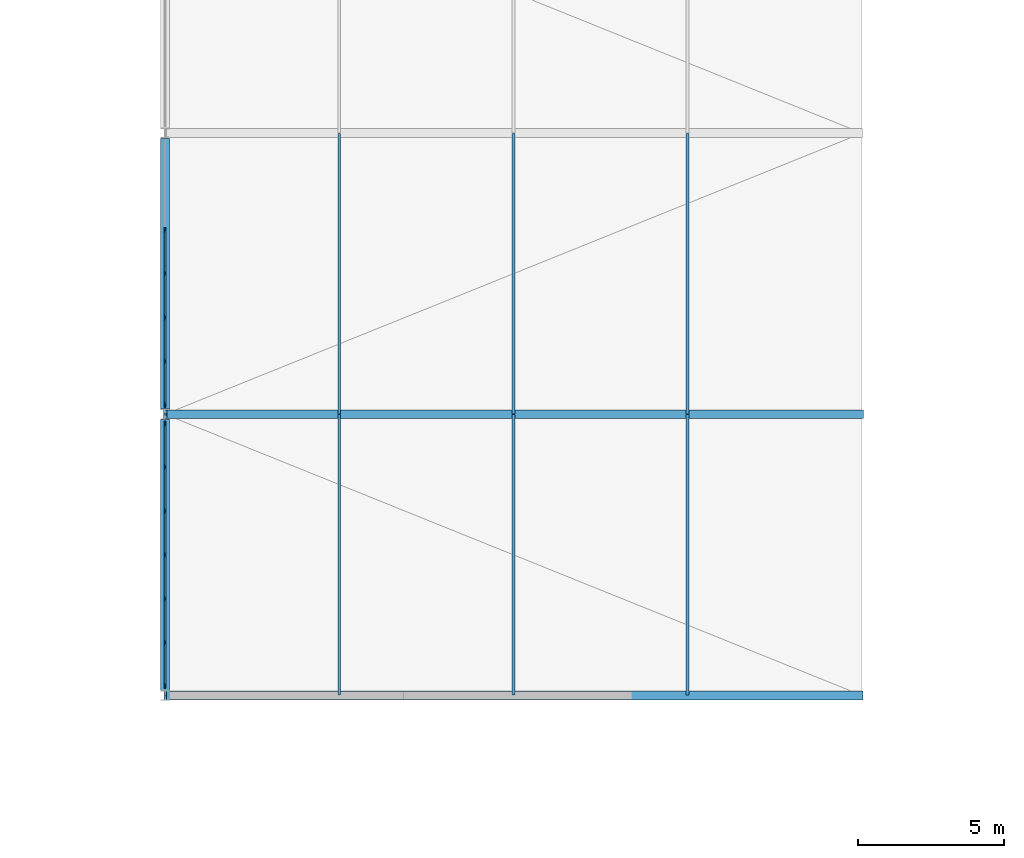
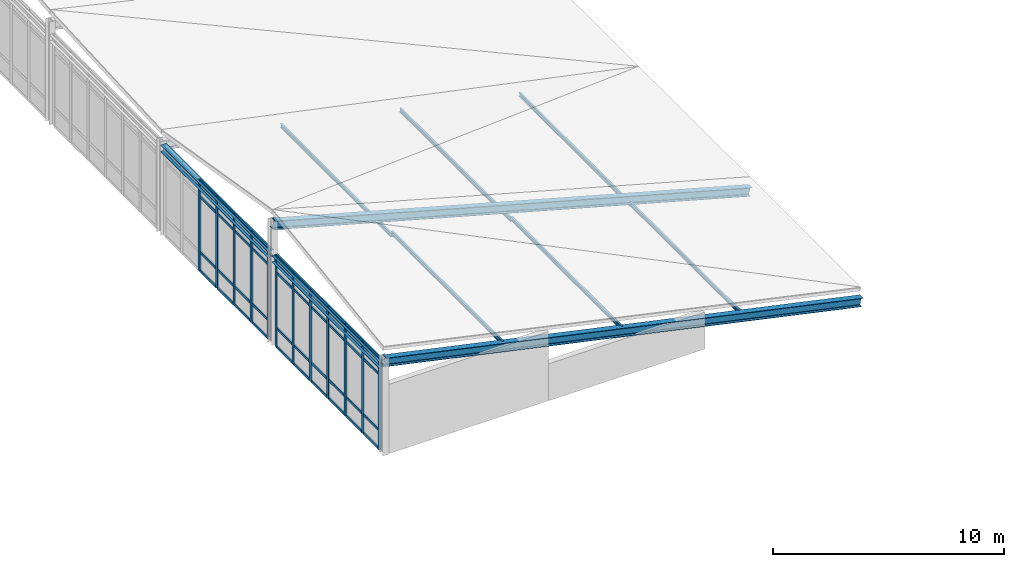
# One storey, part 19 of 64: 60 members, 2 beams, 2 elements without a shape of their own.
"""IFC4 building model written with IfcOpenShell, lengths in metres."""

from ifc_helpers import new_model, si_unit, direction, frame, origin, origin_2d, place, context, subcontext, project, spatial, rectangle, i_section, extrude, material, layer, layer_set, material_profile, profile_set, type_object, element, aggregate, save


model = new_model("IFC4")

# Units and contexts
model_context = context("Model", 3, precision=1e-05, world=origin(), true_north=direction((0.0, 1.0)))
body_context = subcontext(model_context, "Body", "Model", "MODEL_VIEW")
ifc_project = project(units=[si_unit("LENGTHUNIT", "METRE"), si_unit("AREAUNIT", "SQUARE_METRE"), si_unit("VOLUMEUNIT", "CUBIC_METRE"), si_unit("PLANEANGLEUNIT", "RADIAN"), si_unit("MASSUNIT", "GRAM", prefix="KILO")], contexts=[model_context])

# Site, building, storey
site_placement = place(None, origin())
site = spatial("IfcSite", under=ifc_project, at=site_placement, CompositionType="ELEMENT")
building_placement = place(site_placement, origin())
building = spatial("IfcBuilding", under=site, at=building_placement, Name="Nordkorset Police Headquarters", CompositionType="ELEMENT")
storey_placement = place(building_placement, frame((0.0, 0.0, 17.85009765625)))
storey = spatial("IfcBuildingStorey", under=building, at=storey_placement, Name="L04", CompositionType="ELEMENT", Elevation=17.85009765625)

# Curtain wall, members
ifc_material_1 = material(Name="Aluminium alloy AW-6060", Category="aluminium")
ifc_layer = layer(ifc_material_1, 0.179931640625, Name="Aluminium alloy AW-6060")
ifc_layer_set = layer_set([ifc_layer], Name="Aluminium alloy AW-6060")
curtain_wall_type = type_object("IfcCurtainWallType", Name="CW_Unit_900x479", PredefinedType="USERDEFINED", material=ifc_layer_set)
curtain_wall_1_placement = place(storey_placement, origin())
curtain_wall_1 = element("IfcCurtainWall", 1, at=curtain_wall_1_placement, inside=storey, type_object=curtain_wall_type, Name="Unitised Curtain Wall L04 V5CLER-0", ObjectType="UNITISED CURTAIN WALL", PredefinedType="USERDEFINED")
ifc_material_2 = material(Name="Aluminium alloy AW-6060", Category="aluminium")
ifc_material_profile_1 = material_profile(ifc_material_2, rectangle(XDim=0.06494140625, YDim=0.179931640625, at=origin_2d()), Name="ALU MULL 65x180")
ifc_profile_set_1 = profile_set([ifc_material_profile_1], Name="Aluminium alloy AW-6060")
member_type_1 = type_object("IfcMemberType", Name="CW_Mullion_65x180", PredefinedType="MULLION", material=ifc_profile_set_1)
member_1_placement = place(storey_placement, frame((91.39990234375, 48.33251953125, 0.0), z_axis=(0.0, 0.0, 1.0), x_axis=(-1.0, 0.0, 0.0)))
member_1 = element("IfcMember", 2, at=member_1_placement, type_object=member_type_1, Name="CW-89 mullion 1", PredefinedType="MULLION", context=body_context, shape_type="SweptSolid", body=[
    extrude(rectangle(XDim=0.06494140625, YDim=0.179931640625, at=origin_2d()), origin(), (0.0, 0.0, 1.0), 4.789794921875),
])
member_2_placement = place(storey_placement, frame((91.39990234375, 49.800048828125, 0.0), z_axis=(0.0, 0.0, 1.0), x_axis=(-1.0, 0.0, 0.0)))
member_2 = element("IfcMember", 3, at=member_2_placement, type_object=member_type_1, Name="CW-89 mullion 2", PredefinedType="MULLION", context=body_context, shape_type="SweptSolid", body=[
    extrude(rectangle(XDim=0.06494140625, YDim=0.179931640625, at=origin_2d()), origin(), (0.0, 0.0, 1.0), 4.789794921875),
])
member_3_placement = place(storey_placement, frame((91.39990234375, 51.300048828125, 0.0), z_axis=(0.0, 0.0, 1.0), x_axis=(-1.0, 0.0, 0.0)))
member_3 = element("IfcMember", 4, at=member_3_placement, type_object=member_type_1, Name="CW-89 mullion 3", PredefinedType="MULLION", context=body_context, shape_type="SweptSolid", body=[
    extrude(rectangle(XDim=0.06494140625, YDim=0.179931640625, at=origin_2d()), origin(), (0.0, 0.0, 1.0), 4.789794921875),
])
member_4_placement = place(storey_placement, frame((91.39990234375, 52.800048828125, 0.0), z_axis=(0.0, 0.0, 1.0), x_axis=(-1.0, 0.0, 0.0)))
member_4 = element("IfcMember", 5, at=member_4_placement, type_object=member_type_1, Name="CW-89 mullion 4", PredefinedType="MULLION", context=body_context, shape_type="SweptSolid", body=[
    extrude(rectangle(XDim=0.06494140625, YDim=0.179931640625, at=origin_2d()), origin(), (0.0, 0.0, 1.0), 4.789794921875),
])
member_5_placement = place(storey_placement, frame((91.39990234375, 54.300048828125, 0.0), z_axis=(0.0, 0.0, 1.0), x_axis=(-1.0, 0.0, 0.0)))
member_5 = element("IfcMember", 6, at=member_5_placement, type_object=member_type_1, Name="CW-89 mullion 5", PredefinedType="MULLION", context=body_context, shape_type="SweptSolid", body=[
    extrude(rectangle(XDim=0.06494140625, YDim=0.179931640625, at=origin_2d()), origin(), (0.0, 0.0, 1.0), 4.789794921875),
])
member_6_placement = place(storey_placement, frame((91.39990234375, 55.800048828125, 0.0), z_axis=(0.0, 0.0, 1.0), x_axis=(-1.0, 0.0, 0.0)))
member_6 = element("IfcMember", 7, at=member_6_placement, type_object=member_type_1, Name="CW-89 mullion 6", PredefinedType="MULLION", context=body_context, shape_type="SweptSolid", body=[
    extrude(rectangle(XDim=0.06494140625, YDim=0.179931640625, at=origin_2d()), origin(), (0.0, 0.0, 1.0), 4.789794921875),
])
member_7_placement = place(storey_placement, frame((91.39990234375, 57.267578125, 0.0), z_axis=(0.0, 0.0, 1.0), x_axis=(-1.0, 0.0, 0.0)))
member_7 = element("IfcMember", 8, at=member_7_placement, type_object=member_type_1, Name="CW-89 mullion 7", PredefinedType="MULLION", context=body_context, shape_type="SweptSolid", body=[
    extrude(rectangle(XDim=0.06494140625, YDim=0.179931640625, at=origin_2d()), origin(), (0.0, 0.0, 1.0), 4.789794921875),
])

curtain_wall_2_placement = place(storey_placement, origin())
curtain_wall_2 = element("IfcCurtainWall", 9, at=curtain_wall_2_placement, inside=storey, type_object=curtain_wall_type, Name="Unitised Curtain Wall L04 V5CLER-1", ObjectType="UNITISED CURTAIN WALL", PredefinedType="USERDEFINED")
member_8_placement = place(storey_placement, frame((91.39990234375, 57.9326171875, 0.0), z_axis=(0.0, 0.0, 1.0), x_axis=(-1.0, 0.0, 0.0)))
member_8 = element("IfcMember", 10, at=member_8_placement, type_object=member_type_1, Name="CW-89 mullion 1", PredefinedType="MULLION", context=body_context, shape_type="SweptSolid", body=[
    extrude(rectangle(XDim=0.06494140625, YDim=0.179931640625, at=origin_2d()), origin(), (0.0, 0.0, 1.0), 4.789794921875),
])
member_9_placement = place(storey_placement, frame((91.39990234375, 59.39990234375, 0.0), z_axis=(0.0, 0.0, 1.0), x_axis=(-1.0, 0.0, 0.0)))
member_9 = element("IfcMember", 11, at=member_9_placement, type_object=member_type_1, Name="CW-89 mullion 2", PredefinedType="MULLION", context=body_context, shape_type="SweptSolid", body=[
    extrude(rectangle(XDim=0.06494140625, YDim=0.179931640625, at=origin_2d()), origin(), (0.0, 0.0, 1.0), 4.789794921875),
])
member_10_placement = place(storey_placement, frame((91.39990234375, 60.89990234375, 0.0), z_axis=(0.0, 0.0, 1.0), x_axis=(-1.0, 0.0, 0.0)))
member_10 = element("IfcMember", 12, at=member_10_placement, type_object=member_type_1, Name="CW-89 mullion 3", PredefinedType="MULLION", context=body_context, shape_type="SweptSolid", body=[
    extrude(rectangle(XDim=0.06494140625, YDim=0.179931640625, at=origin_2d()), origin(), (0.0, 0.0, 1.0), 4.789794921875),
])
member_11_placement = place(storey_placement, frame((91.39990234375, 62.39990234375, 0.0), z_axis=(0.0, 0.0, 1.0), x_axis=(-1.0, 0.0, 0.0)))
member_11 = element("IfcMember", 13, at=member_11_placement, type_object=member_type_1, Name="CW-89 mullion 4", PredefinedType="MULLION", context=body_context, shape_type="SweptSolid", body=[
    extrude(rectangle(XDim=0.06494140625, YDim=0.179931640625, at=origin_2d()), origin(), (0.0, 0.0, 1.0), 4.789794921875),
])
member_12_placement = place(storey_placement, frame((91.39990234375, 63.89990234375, 0.0), z_axis=(0.0, 0.0, 1.0), x_axis=(-1.0, 0.0, 0.0)))
member_12 = element("IfcMember", 14, at=member_12_placement, type_object=member_type_1, Name="CW-89 mullion 5", PredefinedType="MULLION", context=body_context, shape_type="SweptSolid", body=[
    extrude(rectangle(XDim=0.06494140625, YDim=0.179931640625, at=origin_2d()), origin(), (0.0, 0.0, 1.0), 4.789794921875),
])

# Member
ifc_material_3 = material(Name="Aluminium alloy AW-6060", Category="aluminium")
ifc_material_profile_2 = material_profile(ifc_material_3, rectangle(XDim=0.06494140625, YDim=0.139892578125, at=origin_2d()), Name="ALU TRAN 65x140")
ifc_profile_set_2 = profile_set([ifc_material_profile_2], Name="Aluminium alloy AW-6060")
member_type_2 = type_object("IfcMemberType", Name="CW_Transom_65x140", PredefinedType="USERDEFINED", material=ifc_profile_set_2)
member_13_placement = place(storey_placement, frame((91.39990234375, 48.364990234375, 0.032470703125), z_axis=(0.0, 1.0, 0.0), x_axis=(-1.0, 0.0, 0.0)))
member_13 = element("IfcMember", 15, at=member_13_placement, type_object=member_type_2, Name="CW-89 transom 1.1", ObjectType="TRANSOM", PredefinedType="USERDEFINED", context=body_context, shape_type="SweptSolid", body=[
    extrude(rectangle(XDim=0.06494140625, YDim=0.139892578125, at=origin_2d()), origin(), (0.0, 0.0, 1.0), 1.402587890625),
])

member_14_placement = place(storey_placement, frame((91.39990234375, 48.364990234375, 1.0), z_axis=(0.0, 1.0, 0.0), x_axis=(-1.0, 0.0, 0.0)))
member_14 = element("IfcMember", 16, at=member_14_placement, type_object=member_type_2, Name="CW-89 transom 1.2", ObjectType="TRANSOM", PredefinedType="USERDEFINED", context=body_context, shape_type="SweptSolid", body=[
    extrude(rectangle(XDim=0.06494140625, YDim=0.139892578125, at=origin_2d()), origin(), (0.0, 0.0, 1.0), 1.402587890625),
])

member_15_placement = place(storey_placement, frame((91.39990234375, 48.364990234375, 3.93994140625), z_axis=(0.0, 1.0, 0.0), x_axis=(-1.0, 0.0, 0.0)))
member_15 = element("IfcMember", 17, at=member_15_placement, type_object=member_type_2, Name="CW-89 transom 1.3", ObjectType="TRANSOM", PredefinedType="USERDEFINED", context=body_context, shape_type="SweptSolid", body=[
    extrude(rectangle(XDim=0.06494140625, YDim=0.139892578125, at=origin_2d()), origin(), (0.0, 0.0, 1.0), 1.402587890625),
])

member_16_placement = place(storey_placement, frame((91.39990234375, 48.364990234375, 4.75732421875), z_axis=(0.0, 1.0, 0.0), x_axis=(-1.0, 0.0, 0.0)))
member_16 = element("IfcMember", 18, at=member_16_placement, type_object=member_type_2, Name="CW-89 transom 1.4", ObjectType="TRANSOM", PredefinedType="USERDEFINED", context=body_context, shape_type="SweptSolid", body=[
    extrude(rectangle(XDim=0.06494140625, YDim=0.139892578125, at=origin_2d()), origin(), (0.0, 0.0, 1.0), 1.402587890625),
])

member_17_placement = place(storey_placement, frame((91.39990234375, 49.83251953125, 0.032470703125), z_axis=(0.0, 1.0, 0.0), x_axis=(-1.0, 0.0, 0.0)))
member_17 = element("IfcMember", 19, at=member_17_placement, type_object=member_type_2, Name="CW-89 transom 2.1", ObjectType="TRANSOM", PredefinedType="USERDEFINED", context=body_context, shape_type="SweptSolid", body=[
    extrude(rectangle(XDim=0.06494140625, YDim=0.139892578125, at=origin_2d()), origin(), (0.0, 0.0, 1.0), 1.43505859375),
])

member_18_placement = place(storey_placement, frame((91.39990234375, 49.83251953125, 1.0), z_axis=(0.0, 1.0, 0.0), x_axis=(-1.0, 0.0, 0.0)))
member_18 = element("IfcMember", 20, at=member_18_placement, type_object=member_type_2, Name="CW-89 transom 2.2", ObjectType="TRANSOM", PredefinedType="USERDEFINED", context=body_context, shape_type="SweptSolid", body=[
    extrude(rectangle(XDim=0.06494140625, YDim=0.139892578125, at=origin_2d()), origin(), (0.0, 0.0, 1.0), 1.43505859375),
])

member_19_placement = place(storey_placement, frame((91.39990234375, 49.83251953125, 3.93994140625), z_axis=(0.0, 1.0, 0.0), x_axis=(-1.0, 0.0, 0.0)))
member_19 = element("IfcMember", 21, at=member_19_placement, type_object=member_type_2, Name="CW-89 transom 2.3", ObjectType="TRANSOM", PredefinedType="USERDEFINED", context=body_context, shape_type="SweptSolid", body=[
    extrude(rectangle(XDim=0.06494140625, YDim=0.139892578125, at=origin_2d()), origin(), (0.0, 0.0, 1.0), 1.43505859375),
])

member_20_placement = place(storey_placement, frame((91.39990234375, 49.83251953125, 4.75732421875), z_axis=(0.0, 1.0, 0.0), x_axis=(-1.0, 0.0, 0.0)))
member_20 = element("IfcMember", 22, at=member_20_placement, type_object=member_type_2, Name="CW-89 transom 2.4", ObjectType="TRANSOM", PredefinedType="USERDEFINED", context=body_context, shape_type="SweptSolid", body=[
    extrude(rectangle(XDim=0.06494140625, YDim=0.139892578125, at=origin_2d()), origin(), (0.0, 0.0, 1.0), 1.43505859375),
])

member_21_placement = place(storey_placement, frame((91.39990234375, 51.33251953125, 0.032470703125), z_axis=(0.0, 1.0, 0.0), x_axis=(-1.0, 0.0, 0.0)))
member_21 = element("IfcMember", 23, at=member_21_placement, type_object=member_type_2, Name="CW-89 transom 3.1", ObjectType="TRANSOM", PredefinedType="USERDEFINED", context=body_context, shape_type="SweptSolid", body=[
    extrude(rectangle(XDim=0.06494140625, YDim=0.139892578125, at=origin_2d()), origin(), (0.0, 0.0, 1.0), 1.43505859375),
])

member_22_placement = place(storey_placement, frame((91.39990234375, 51.33251953125, 1.0), z_axis=(0.0, 1.0, 0.0), x_axis=(-1.0, 0.0, 0.0)))
member_22 = element("IfcMember", 24, at=member_22_placement, type_object=member_type_2, Name="CW-89 transom 3.2", ObjectType="TRANSOM", PredefinedType="USERDEFINED", context=body_context, shape_type="SweptSolid", body=[
    extrude(rectangle(XDim=0.06494140625, YDim=0.139892578125, at=origin_2d()), origin(), (0.0, 0.0, 1.0), 1.43505859375),
])

member_23_placement = place(storey_placement, frame((91.39990234375, 51.33251953125, 3.93994140625), z_axis=(0.0, 1.0, 0.0), x_axis=(-1.0, 0.0, 0.0)))
member_23 = element("IfcMember", 25, at=member_23_placement, type_object=member_type_2, Name="CW-89 transom 3.3", ObjectType="TRANSOM", PredefinedType="USERDEFINED", context=body_context, shape_type="SweptSolid", body=[
    extrude(rectangle(XDim=0.06494140625, YDim=0.139892578125, at=origin_2d()), origin(), (0.0, 0.0, 1.0), 1.43505859375),
])

member_24_placement = place(storey_placement, frame((91.39990234375, 51.33251953125, 4.75732421875), z_axis=(0.0, 1.0, 0.0), x_axis=(-1.0, 0.0, 0.0)))
member_24 = element("IfcMember", 26, at=member_24_placement, type_object=member_type_2, Name="CW-89 transom 3.4", ObjectType="TRANSOM", PredefinedType="USERDEFINED", context=body_context, shape_type="SweptSolid", body=[
    extrude(rectangle(XDim=0.06494140625, YDim=0.139892578125, at=origin_2d()), origin(), (0.0, 0.0, 1.0), 1.43505859375),
])

member_25_placement = place(storey_placement, frame((91.39990234375, 52.83251953125, 0.032470703125), z_axis=(0.0, 1.0, 0.0), x_axis=(-1.0, 0.0, 0.0)))
member_25 = element("IfcMember", 27, at=member_25_placement, type_object=member_type_2, Name="CW-89 transom 4.1", ObjectType="TRANSOM", PredefinedType="USERDEFINED", context=body_context, shape_type="SweptSolid", body=[
    extrude(rectangle(XDim=0.06494140625, YDim=0.139892578125, at=origin_2d()), origin(), (0.0, 0.0, 1.0), 1.43505859375),
])

member_26_placement = place(storey_placement, frame((91.39990234375, 52.83251953125, 1.0), z_axis=(0.0, 1.0, 0.0), x_axis=(-1.0, 0.0, 0.0)))
member_26 = element("IfcMember", 28, at=member_26_placement, type_object=member_type_2, Name="CW-89 transom 4.2", ObjectType="TRANSOM", PredefinedType="USERDEFINED", context=body_context, shape_type="SweptSolid", body=[
    extrude(rectangle(XDim=0.06494140625, YDim=0.139892578125, at=origin_2d()), origin(), (0.0, 0.0, 1.0), 1.43505859375),
])

member_27_placement = place(storey_placement, frame((91.39990234375, 52.83251953125, 3.93994140625), z_axis=(0.0, 1.0, 0.0), x_axis=(-1.0, 0.0, 0.0)))
member_27 = element("IfcMember", 29, at=member_27_placement, type_object=member_type_2, Name="CW-89 transom 4.3", ObjectType="TRANSOM", PredefinedType="USERDEFINED", context=body_context, shape_type="SweptSolid", body=[
    extrude(rectangle(XDim=0.06494140625, YDim=0.139892578125, at=origin_2d()), origin(), (0.0, 0.0, 1.0), 1.43505859375),
])

member_28_placement = place(storey_placement, frame((91.39990234375, 52.83251953125, 4.75732421875), z_axis=(0.0, 1.0, 0.0), x_axis=(-1.0, 0.0, 0.0)))
member_28 = element("IfcMember", 30, at=member_28_placement, type_object=member_type_2, Name="CW-89 transom 4.4", ObjectType="TRANSOM", PredefinedType="USERDEFINED", context=body_context, shape_type="SweptSolid", body=[
    extrude(rectangle(XDim=0.06494140625, YDim=0.139892578125, at=origin_2d()), origin(), (0.0, 0.0, 1.0), 1.43505859375),
])

member_29_placement = place(storey_placement, frame((91.39990234375, 54.33251953125, 0.032470703125), z_axis=(0.0, 1.0, 0.0), x_axis=(-1.0, 0.0, 0.0)))
member_29 = element("IfcMember", 31, at=member_29_placement, type_object=member_type_2, Name="CW-89 transom 5.1", ObjectType="TRANSOM", PredefinedType="USERDEFINED", context=body_context, shape_type="SweptSolid", body=[
    extrude(rectangle(XDim=0.06494140625, YDim=0.139892578125, at=origin_2d()), origin(), (0.0, 0.0, 1.0), 1.43505859375),
])

member_30_placement = place(storey_placement, frame((91.39990234375, 54.33251953125, 1.0), z_axis=(0.0, 1.0, 0.0), x_axis=(-1.0, 0.0, 0.0)))
member_30 = element("IfcMember", 32, at=member_30_placement, type_object=member_type_2, Name="CW-89 transom 5.2", ObjectType="TRANSOM", PredefinedType="USERDEFINED", context=body_context, shape_type="SweptSolid", body=[
    extrude(rectangle(XDim=0.06494140625, YDim=0.139892578125, at=origin_2d()), origin(), (0.0, 0.0, 1.0), 1.43505859375),
])

member_31_placement = place(storey_placement, frame((91.39990234375, 54.33251953125, 3.93994140625), z_axis=(0.0, 1.0, 0.0), x_axis=(-1.0, 0.0, 0.0)))
member_31 = element("IfcMember", 33, at=member_31_placement, type_object=member_type_2, Name="CW-89 transom 5.3", ObjectType="TRANSOM", PredefinedType="USERDEFINED", context=body_context, shape_type="SweptSolid", body=[
    extrude(rectangle(XDim=0.06494140625, YDim=0.139892578125, at=origin_2d()), origin(), (0.0, 0.0, 1.0), 1.43505859375),
])

member_32_placement = place(storey_placement, frame((91.39990234375, 54.33251953125, 4.75732421875), z_axis=(0.0, 1.0, 0.0), x_axis=(-1.0, 0.0, 0.0)))
member_32 = element("IfcMember", 34, at=member_32_placement, type_object=member_type_2, Name="CW-89 transom 5.4", ObjectType="TRANSOM", PredefinedType="USERDEFINED", context=body_context, shape_type="SweptSolid", body=[
    extrude(rectangle(XDim=0.06494140625, YDim=0.139892578125, at=origin_2d()), origin(), (0.0, 0.0, 1.0), 1.43505859375),
])

member_33_placement = place(storey_placement, frame((91.39990234375, 55.83251953125, 0.032470703125), z_axis=(0.0, 1.0, 0.0), x_axis=(-1.0, 0.0, 0.0)))
member_33 = element("IfcMember", 35, at=member_33_placement, type_object=member_type_2, Name="CW-89 transom 6.1", ObjectType="TRANSOM", PredefinedType="USERDEFINED", context=body_context, shape_type="SweptSolid", body=[
    extrude(rectangle(XDim=0.06494140625, YDim=0.139892578125, at=origin_2d()), origin(), (0.0, 0.0, 1.0), 1.402587890625),
])

member_34_placement = place(storey_placement, frame((91.39990234375, 55.83251953125, 1.0), z_axis=(0.0, 1.0, 0.0), x_axis=(-1.0, 0.0, 0.0)))
member_34 = element("IfcMember", 36, at=member_34_placement, type_object=member_type_2, Name="CW-89 transom 6.2", ObjectType="TRANSOM", PredefinedType="USERDEFINED", context=body_context, shape_type="SweptSolid", body=[
    extrude(rectangle(XDim=0.06494140625, YDim=0.139892578125, at=origin_2d()), origin(), (0.0, 0.0, 1.0), 1.402587890625),
])

member_35_placement = place(storey_placement, frame((91.39990234375, 55.83251953125, 3.93994140625), z_axis=(0.0, 1.0, 0.0), x_axis=(-1.0, 0.0, 0.0)))
member_35 = element("IfcMember", 37, at=member_35_placement, type_object=member_type_2, Name="CW-89 transom 6.3", ObjectType="TRANSOM", PredefinedType="USERDEFINED", context=body_context, shape_type="SweptSolid", body=[
    extrude(rectangle(XDim=0.06494140625, YDim=0.139892578125, at=origin_2d()), origin(), (0.0, 0.0, 1.0), 1.402587890625),
])

member_36_placement = place(storey_placement, frame((91.39990234375, 55.83251953125, 4.75732421875), z_axis=(0.0, 1.0, 0.0), x_axis=(-1.0, 0.0, 0.0)))
member_36 = element("IfcMember", 38, at=member_36_placement, type_object=member_type_2, Name="CW-89 transom 6.4", ObjectType="TRANSOM", PredefinedType="USERDEFINED", context=body_context, shape_type="SweptSolid", body=[
    extrude(rectangle(XDim=0.06494140625, YDim=0.139892578125, at=origin_2d()), origin(), (0.0, 0.0, 1.0), 1.402587890625),
])

aggregate(curtain_wall_1, [member_1, member_2, member_3, member_4, member_5, member_6, member_7, member_13, member_14, member_15, member_16, member_17, member_18, member_19, member_20, member_21, member_22, member_23, member_24, member_25, member_26, member_27, member_28, member_29, member_30, member_31, member_32, member_33, member_34, member_35, member_36])

member_37_placement = place(storey_placement, frame((91.39990234375, 57.965087890625, 0.032470703125), z_axis=(0.0, 1.0, 0.0), x_axis=(-1.0, 0.0, 0.0)))
member_37 = element("IfcMember", 39, at=member_37_placement, type_object=member_type_2, Name="CW-89 transom 1.1", ObjectType="TRANSOM", PredefinedType="USERDEFINED", context=body_context, shape_type="SweptSolid", body=[
    extrude(rectangle(XDim=0.06494140625, YDim=0.139892578125, at=origin_2d()), origin(), (0.0, 0.0, 1.0), 1.40234375),
])

member_38_placement = place(storey_placement, frame((91.39990234375, 57.965087890625, 1.0), z_axis=(0.0, 1.0, 0.0), x_axis=(-1.0, 0.0, 0.0)))
member_38 = element("IfcMember", 40, at=member_38_placement, type_object=member_type_2, Name="CW-89 transom 1.2", ObjectType="TRANSOM", PredefinedType="USERDEFINED", context=body_context, shape_type="SweptSolid", body=[
    extrude(rectangle(XDim=0.06494140625, YDim=0.139892578125, at=origin_2d()), origin(), (0.0, 0.0, 1.0), 1.40234375),
])

member_39_placement = place(storey_placement, frame((91.39990234375, 57.965087890625, 3.93994140625), z_axis=(0.0, 1.0, 0.0), x_axis=(-1.0, 0.0, 0.0)))
member_39 = element("IfcMember", 41, at=member_39_placement, type_object=member_type_2, Name="CW-89 transom 1.3", ObjectType="TRANSOM", PredefinedType="USERDEFINED", context=body_context, shape_type="SweptSolid", body=[
    extrude(rectangle(XDim=0.06494140625, YDim=0.139892578125, at=origin_2d()), origin(), (0.0, 0.0, 1.0), 1.40234375),
])

member_40_placement = place(storey_placement, frame((91.39990234375, 57.965087890625, 4.75732421875), z_axis=(0.0, 1.0, 0.0), x_axis=(-1.0, 0.0, 0.0)))
member_40 = element("IfcMember", 42, at=member_40_placement, type_object=member_type_2, Name="CW-89 transom 1.4", ObjectType="TRANSOM", PredefinedType="USERDEFINED", context=body_context, shape_type="SweptSolid", body=[
    extrude(rectangle(XDim=0.06494140625, YDim=0.139892578125, at=origin_2d()), origin(), (0.0, 0.0, 1.0), 1.40234375),
])

member_41_placement = place(storey_placement, frame((91.39990234375, 59.4326171875, 0.032470703125), z_axis=(0.0, 1.0, 0.0), x_axis=(-1.0, 0.0, 0.0)))
member_41 = element("IfcMember", 43, at=member_41_placement, type_object=member_type_2, Name="CW-89 transom 2.1", ObjectType="TRANSOM", PredefinedType="USERDEFINED", context=body_context, shape_type="SweptSolid", body=[
    extrude(rectangle(XDim=0.06494140625, YDim=0.139892578125, at=origin_2d()), origin(), (0.0, 0.0, 1.0), 1.434814453125),
])

member_42_placement = place(storey_placement, frame((91.39990234375, 59.4326171875, 1.0), z_axis=(0.0, 1.0, 0.0), x_axis=(-1.0, 0.0, 0.0)))
member_42 = element("IfcMember", 44, at=member_42_placement, type_object=member_type_2, Name="CW-89 transom 2.2", ObjectType="TRANSOM", PredefinedType="USERDEFINED", context=body_context, shape_type="SweptSolid", body=[
    extrude(rectangle(XDim=0.06494140625, YDim=0.139892578125, at=origin_2d()), origin(), (0.0, 0.0, 1.0), 1.434814453125),
])

member_43_placement = place(storey_placement, frame((91.39990234375, 59.4326171875, 3.93994140625), z_axis=(0.0, 1.0, 0.0), x_axis=(-1.0, 0.0, 0.0)))
member_43 = element("IfcMember", 45, at=member_43_placement, type_object=member_type_2, Name="CW-89 transom 2.3", ObjectType="TRANSOM", PredefinedType="USERDEFINED", context=body_context, shape_type="SweptSolid", body=[
    extrude(rectangle(XDim=0.06494140625, YDim=0.139892578125, at=origin_2d()), origin(), (0.0, 0.0, 1.0), 1.434814453125),
])

member_44_placement = place(storey_placement, frame((91.39990234375, 59.4326171875, 4.75732421875), z_axis=(0.0, 1.0, 0.0), x_axis=(-1.0, 0.0, 0.0)))
member_44 = element("IfcMember", 46, at=member_44_placement, type_object=member_type_2, Name="CW-89 transom 2.4", ObjectType="TRANSOM", PredefinedType="USERDEFINED", context=body_context, shape_type="SweptSolid", body=[
    extrude(rectangle(XDim=0.06494140625, YDim=0.139892578125, at=origin_2d()), origin(), (0.0, 0.0, 1.0), 1.434814453125),
])

member_45_placement = place(storey_placement, frame((91.39990234375, 60.9326171875, 0.032470703125), z_axis=(0.0, 1.0, 0.0), x_axis=(-1.0, 0.0, 0.0)))
member_45 = element("IfcMember", 47, at=member_45_placement, type_object=member_type_2, Name="CW-89 transom 3.1", ObjectType="TRANSOM", PredefinedType="USERDEFINED", context=body_context, shape_type="SweptSolid", body=[
    extrude(rectangle(XDim=0.06494140625, YDim=0.139892578125, at=origin_2d()), origin(), (0.0, 0.0, 1.0), 1.434814453125),
])

member_46_placement = place(storey_placement, frame((91.39990234375, 60.9326171875, 1.0), z_axis=(0.0, 1.0, 0.0), x_axis=(-1.0, 0.0, 0.0)))
member_46 = element("IfcMember", 48, at=member_46_placement, type_object=member_type_2, Name="CW-89 transom 3.2", ObjectType="TRANSOM", PredefinedType="USERDEFINED", context=body_context, shape_type="SweptSolid", body=[
    extrude(rectangle(XDim=0.06494140625, YDim=0.139892578125, at=origin_2d()), origin(), (0.0, 0.0, 1.0), 1.434814453125),
])

member_47_placement = place(storey_placement, frame((91.39990234375, 60.9326171875, 3.93994140625), z_axis=(0.0, 1.0, 0.0), x_axis=(-1.0, 0.0, 0.0)))
member_47 = element("IfcMember", 49, at=member_47_placement, type_object=member_type_2, Name="CW-89 transom 3.3", ObjectType="TRANSOM", PredefinedType="USERDEFINED", context=body_context, shape_type="SweptSolid", body=[
    extrude(rectangle(XDim=0.06494140625, YDim=0.139892578125, at=origin_2d()), origin(), (0.0, 0.0, 1.0), 1.434814453125),
])

member_48_placement = place(storey_placement, frame((91.39990234375, 60.9326171875, 4.75732421875), z_axis=(0.0, 1.0, 0.0), x_axis=(-1.0, 0.0, 0.0)))
member_48 = element("IfcMember", 50, at=member_48_placement, type_object=member_type_2, Name="CW-89 transom 3.4", ObjectType="TRANSOM", PredefinedType="USERDEFINED", context=body_context, shape_type="SweptSolid", body=[
    extrude(rectangle(XDim=0.06494140625, YDim=0.139892578125, at=origin_2d()), origin(), (0.0, 0.0, 1.0), 1.434814453125),
])

member_49_placement = place(storey_placement, frame((91.39990234375, 62.4326171875, 0.032470703125), z_axis=(0.0, 1.0, 0.0), x_axis=(-1.0, 0.0, 0.0)))
member_49 = element("IfcMember", 51, at=member_49_placement, type_object=member_type_2, Name="CW-89 transom 4.1", ObjectType="TRANSOM", PredefinedType="USERDEFINED", context=body_context, shape_type="SweptSolid", body=[
    extrude(rectangle(XDim=0.06494140625, YDim=0.139892578125, at=origin_2d()), origin(), (0.0, 0.0, 1.0), 1.434814453125),
])

member_50_placement = place(storey_placement, frame((91.39990234375, 62.4326171875, 1.0), z_axis=(0.0, 1.0, 0.0), x_axis=(-1.0, 0.0, 0.0)))
member_50 = element("IfcMember", 52, at=member_50_placement, type_object=member_type_2, Name="CW-89 transom 4.2", ObjectType="TRANSOM", PredefinedType="USERDEFINED", context=body_context, shape_type="SweptSolid", body=[
    extrude(rectangle(XDim=0.06494140625, YDim=0.139892578125, at=origin_2d()), origin(), (0.0, 0.0, 1.0), 1.434814453125),
])

member_51_placement = place(storey_placement, frame((91.39990234375, 62.4326171875, 3.93994140625), z_axis=(0.0, 1.0, 0.0), x_axis=(-1.0, 0.0, 0.0)))
member_51 = element("IfcMember", 53, at=member_51_placement, type_object=member_type_2, Name="CW-89 transom 4.3", ObjectType="TRANSOM", PredefinedType="USERDEFINED", context=body_context, shape_type="SweptSolid", body=[
    extrude(rectangle(XDim=0.06494140625, YDim=0.139892578125, at=origin_2d()), origin(), (0.0, 0.0, 1.0), 1.434814453125),
])

member_52_placement = place(storey_placement, frame((91.39990234375, 62.4326171875, 4.75732421875), z_axis=(0.0, 1.0, 0.0), x_axis=(-1.0, 0.0, 0.0)))
member_52 = element("IfcMember", 54, at=member_52_placement, type_object=member_type_2, Name="CW-89 transom 4.4", ObjectType="TRANSOM", PredefinedType="USERDEFINED", context=body_context, shape_type="SweptSolid", body=[
    extrude(rectangle(XDim=0.06494140625, YDim=0.139892578125, at=origin_2d()), origin(), (0.0, 0.0, 1.0), 1.434814453125),
])

aggregate(curtain_wall_2, [member_8, member_9, member_10, member_11, member_12, member_37, member_38, member_39, member_40, member_41, member_42, member_43, member_44, member_45, member_46, member_47, member_48, member_49, member_50, member_51, member_52])

# Beams
ifc_material_4 = material(Name="Steel S355J2", Category="steel")
ifc_material_profile_3 = material_profile(ifc_material_4, i_section(OverallWidth=0.300048828125, OverallDepth=0.35009765625, WebThickness=0.010009765625, FlangeThickness=0.017578125, FilletRadius=0.027099609375, at=origin_2d()), Name="HEA 360")
ifc_profile_set_3 = profile_set([ifc_material_profile_3], Name="Steel S355J2")
beam_type = type_object("IfcBeamType", Name="Girder_HEA_360", PredefinedType="USERDEFINED", material=ifc_profile_set_3)
for number, where, z_axis, x_axis, name in (
    (55, (91.39990234375, 48.175048828125, 4.58984375), (0.0, 1.0, 0.0), (-1.0, 0.0, 0.0), "Gymnasium Clerestory Roof Tie Girder 1"),
    (56, (91.39990234375, 57.77490234375, 4.58984375), (0.0, 1.0, 0.0), (-1.0, 0.0, 0.0), "Gymnasium Clerestory Roof Tie Girder 2"),
):
    element("IfcBeam", number, at=place(storey_placement, frame(where, z_axis=z_axis, x_axis=x_axis)), inside=storey, type_object=beam_type, Name=name, ObjectType="GIRDER", PredefinedType="USERDEFINED", context=body_context, shape_type="SweptSolid", body=[
        extrude(i_section(OverallWidth=0.300048828125, OverallDepth=0.35009765625, WebThickness=0.010009765625, FlangeThickness=0.017578125, FilletRadius=0.027099609375, at=origin_2d()), origin(), (0.0, 0.0, 1.0), 9.25),
    ])

# Members
ifc_material_5 = material(Name="Steel S355J2", Category="steel")
ifc_material_profile_4 = material_profile(ifc_material_5, i_section(OverallWidth=0.10009765625, OverallDepth=0.199951171875, WebThickness=0.005615234375, FlangeThickness=0.008544921875, FilletRadius=0.011962890625, at=origin_2d()), Name="IPE 200")
ifc_profile_set_4 = profile_set([ifc_material_profile_4], Name="Steel S355J2")
member_type_3 = type_object("IfcMemberType", Name="Purlin_IPE_200", PredefinedType="PURLIN", material=ifc_profile_set_4)
for number, where, z_axis, x_axis, name in (
    (57, (97.35009765625, 48.006103515625, 3.73486328125), (0.0, 1.0, 0.0), (-1.0, 0.0, 0.0), "Gymnasium Folded Roof Purlin Bay 1"),
    (58, (103.300048828125, 48.006103515625, 2.419921875), (0.0, 1.0, 0.0), (-1.0, 0.0, 0.0), "Gymnasium Folded Roof Purlin Bay 1"),
    (59, (109.25, 48.006103515625, 1.10498046875), (0.0, 1.0, 0.0), (-1.0, 0.0, 0.0), "Gymnasium Folded Roof Purlin Bay 1"),
):
    element("IfcMember", number, at=place(storey_placement, frame(where, z_axis=z_axis, x_axis=x_axis)), inside=storey, type_object=member_type_3, Name=name, PredefinedType="PURLIN", context=body_context, shape_type="SweptSolid", body=[
        extrude(i_section(OverallWidth=0.10009765625, OverallDepth=0.199951171875, WebThickness=0.005615234375, FlangeThickness=0.008544921875, FilletRadius=0.011962890625, at=origin_2d()), origin(), (0.0, 0.0, 1.0), 9.587890625),
    ])
for number, where, z_axis, x_axis, name in (
    (60, (97.35009765625, 57.60595703125, 3.5849609375), (0.0, 1.0, 0.0), (-1.0, 0.0, 0.0), "Gymnasium Folded Roof Purlin Bay 2"),
    (61, (103.300048828125, 57.60595703125, 2.31982421875), (0.0, 1.0, 0.0), (-1.0, 0.0, 0.0), "Gymnasium Folded Roof Purlin Bay 2"),
    (62, (109.25, 57.60595703125, 1.054931640625), (0.0, 1.0, 0.0), (-1.0, 0.0, 0.0), "Gymnasium Folded Roof Purlin Bay 2"),
):
    element("IfcMember", number, at=place(storey_placement, frame(where, z_axis=z_axis, x_axis=x_axis)), inside=storey, type_object=member_type_3, Name=name, PredefinedType="PURLIN", context=body_context, shape_type="SweptSolid", body=[
        extrude(i_section(OverallWidth=0.10009765625, OverallDepth=0.199951171875, WebThickness=0.005615234375, FlangeThickness=0.008544921875, FilletRadius=0.011962890625, at=origin_2d()), origin(), (0.0, 0.0, 1.0), 9.588134765625),
    ])
ifc_material_6 = material(Name="Steel S355J2", Category="steel")
ifc_material_profile_5 = material_profile(ifc_material_6, i_section(OverallWidth=0.300048828125, OverallDepth=0.43994140625, WebThickness=0.011474609375, FlangeThickness=0.02099609375, FilletRadius=0.027099609375, at=origin_2d()), Name="HEA 450")
ifc_profile_set_5 = profile_set([ifc_material_profile_5], Name="Steel S355J2")
member_type_4 = type_object("IfcMemberType", Name="Rafter_HEA_450", PredefinedType="RAFTER", material=ifc_profile_set_5)
member_53_placement = place(storey_placement, frame((91.407958984375, 48.0, 4.869873046875), z_axis=(0.977265909233, 0.0, -0.212017316865), x_axis=(0.0, 1.0, 0.0)))
element("IfcMember", 63, at=member_53_placement, inside=storey, type_object=member_type_4, Name="Gymnasium Folded Roof Rafter 1", PredefinedType="RAFTER", context=body_context, shape_type="SweptSolid", body=[
    extrude(i_section(OverallWidth=0.300048828125, OverallDepth=0.43994140625, WebThickness=0.011474609375, FlangeThickness=0.02099609375, FilletRadius=0.027099609375, at=origin_2d()), origin(), (0.0, 0.0, 1.0), 24.337158203125),
])
member_54_placement = place(storey_placement, frame((91.407958984375, 57.60009765625, 6.27001953125), z_axis=(0.964003289191, 0.0, -0.265890312778), x_axis=(0.0, 1.0, 0.0)))
element("IfcMember", 64, at=member_54_placement, inside=storey, type_object=member_type_4, Name="Gymnasium Folded Roof Rafter 2", PredefinedType="RAFTER", context=body_context, shape_type="SweptSolid", body=[
    extrude(i_section(OverallWidth=0.300048828125, OverallDepth=0.43994140625, WebThickness=0.011474609375, FlangeThickness=0.02099609375, FilletRadius=0.027099609375, at=origin_2d()), origin(), (0.0, 0.0, 1.0), 24.672119140625),
])

save(model, "model.ifc")
